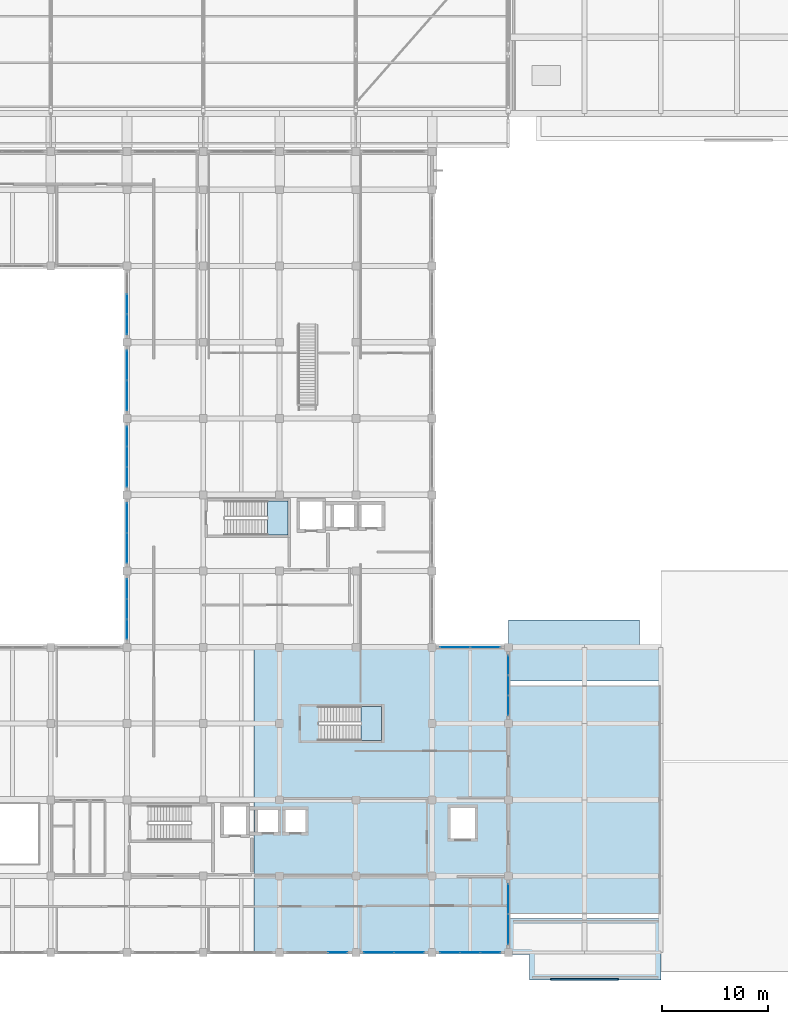
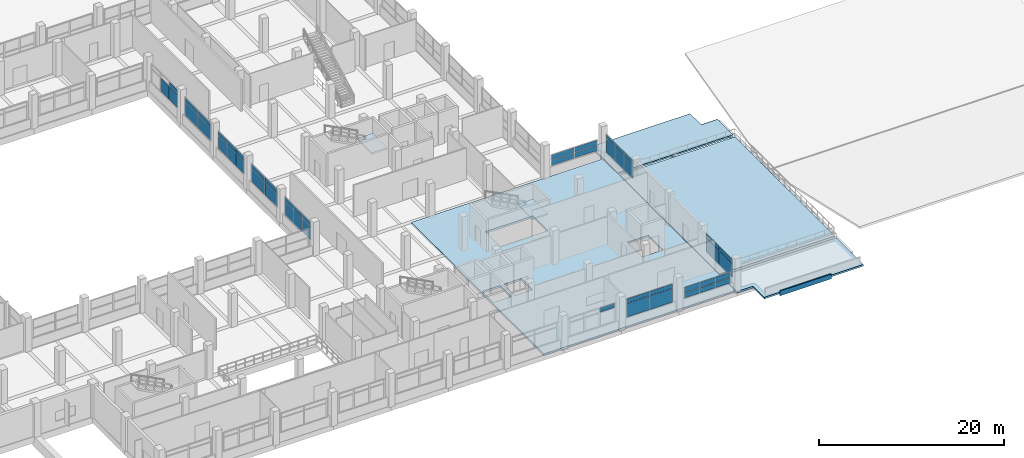
# One storey, part 114 of 141: 49 plates, 6 slabs, 13 elements without a shape of their own.
"""IFC4 building model written with IfcOpenShell, lengths in metres."""

from ifc_helpers import new_model, si_unit, direction, frame, origin, origin_2d, place, context, subcontext, project, spatial, polyline, rectangle, outline, extrude, material, layer, layer_set, type_object, element, aggregate, save


model = new_model("IFC4")

# Units and contexts
model_context = context("Model", 3, precision=1e-05, world=origin(), true_north=direction((0.0, 1.0)))
body_context = subcontext(model_context, "Body", "Model", "MODEL_VIEW")
ifc_project = project(units=[si_unit("LENGTHUNIT", "METRE"), si_unit("AREAUNIT", "SQUARE_METRE"), si_unit("VOLUMEUNIT", "CUBIC_METRE"), si_unit("PLANEANGLEUNIT", "RADIAN"), si_unit("MASSUNIT", "GRAM", prefix="KILO")], contexts=[model_context])

# Site, building, storey
site_placement = place(None, origin())
site = spatial("IfcSite", under=ifc_project, at=site_placement, CompositionType="ELEMENT")
building_placement = place(site_placement, origin())
building = spatial("IfcBuilding", under=site, at=building_placement, Name="Seraya Terrace Polytechnic", CompositionType="ELEMENT")
storey_placement = place(building_placement, frame((0.0, 0.0, 14.39990234375)))
storey = spatial("IfcBuildingStorey", under=building, at=storey_placement, Name="L03", CompositionType="ELEMENT", Elevation=14.39990234375)

# Curtain wall, plate
ifc_material_1 = material(Name="Anodised aluminium EN AW-6063 T6", Category="aluminium")
ifc_layer_1 = layer(ifc_material_1, 0.179931640625, Name="CW-28")
ifc_layer_set_1 = layer_set([ifc_layer_1], Name="Anodised aluminium EN AW-6063 T6")
curtain_wall_type_1 = type_object("IfcCurtainWallType", Name="CW-28", PredefinedType="NOTDEFINED", material=ifc_layer_set_1)
curtain_wall_1_placement = place(storey_placement, origin())
curtain_wall_1 = element("IfcCurtainWall", 1, at=curtain_wall_1_placement, inside=storey, type_object=curtain_wall_type_1, Name="Unitised curtain wall CW-28 (CW-L03-100)", PredefinedType="NOTDEFINED")
ifc_material_2 = material(Name="Laminated solar-control Low-E double glazing", Category="glass")
ifc_layer_2 = layer(ifc_material_2, 0.028076171875, Name="CWP-01")
ifc_layer_set_2 = layer_set([ifc_layer_2], Name="Laminated solar-control Low-E double glazing")
plate_type_1 = type_object("IfcPlateType", Name="CWP-01", PredefinedType="CURTAIN_PANEL", material=ifc_layer_set_2)
plate_1_placement = place(storey_placement, frame((99.103759765625, 0.0, 3.10986328125), z_axis=(0.0, 0.0, 1.0), x_axis=(-1.0, 0.0, 0.0)))
plate_1 = element("IfcPlate", 2, at=plate_1_placement, type_object=plate_type_1, Name="CW-28 panel 1.2", PredefinedType="CURTAIN_PANEL", context=body_context, shape_type="SweptSolid", body=[
    extrude(rectangle(XDim=1.822509765625, YDim=0.028076171875, at=origin_2d()), origin(), (0.0, 0.0, 1.0), 0.530029296875),
])
aggregate(curtain_wall_1, [plate_1])

# Curtain wall, plates
ifc_layer_3 = layer(ifc_material_1, 0.179931640625, Name="CW-25")
ifc_layer_set_3 = layer_set([ifc_layer_3], Name="Anodised aluminium EN AW-6063 T6")
curtain_wall_type_2 = type_object("IfcCurtainWallType", Name="CW-25", PredefinedType="NOTDEFINED", material=ifc_layer_set_3)
curtain_wall_2_placement = place(storey_placement, origin())
curtain_wall_2 = element("IfcCurtainWall", 3, at=curtain_wall_2_placement, inside=storey, type_object=curtain_wall_type_2, Name="Unitised curtain wall CW-25 (CW-L03-133)", PredefinedType="NOTDEFINED")
plate_2_placement = place(storey_placement, frame((110.17626953125, 28.800048828125, 1.300048828125), z_axis=(0.0, 0.0, 1.0), x_axis=(1.0, 0.0, 0.0)))
plate_2 = element("IfcPlate", 4, at=plate_2_placement, type_object=plate_type_1, Name="CW-25 panel 1.1", PredefinedType="CURTAIN_PANEL", context=body_context, shape_type="SweptSolid", body=[
    extrude(rectangle(XDim=2.782470703125, YDim=0.028076171875, at=origin_2d()), origin(), (0.0, 0.0, 1.0), 0.669921875),
])
plate_3_placement = place(storey_placement, frame((110.17626953125, 28.800048828125, 2.030029296875), z_axis=(0.0, 0.0, 1.0), x_axis=(1.0, 0.0, 0.0)))
plate_3 = element("IfcPlate", 5, at=plate_3_placement, type_object=plate_type_1, Name="CW-25 panel 1.2", PredefinedType="CURTAIN_PANEL", context=body_context, shape_type="SweptSolid", body=[
    extrude(rectangle(XDim=2.782470703125, YDim=0.028076171875, at=origin_2d()), origin(), (0.0, 0.0, 1.0), 0.669921875),
])
plate_4_placement = place(storey_placement, frame((113.023681640625, 28.800048828125, 1.300048828125), z_axis=(0.0, 0.0, 1.0), x_axis=(1.0, 0.0, 0.0)))
plate_4 = element("IfcPlate", 6, at=plate_4_placement, type_object=plate_type_1, Name="CW-25 panel 2.1", PredefinedType="CURTAIN_PANEL", context=body_context, shape_type="SweptSolid", body=[
    extrude(rectangle(XDim=2.782470703125, YDim=0.028076171875, at=origin_2d()), origin(), (0.0, 0.0, 1.0), 0.669921875),
])
plate_5_placement = place(storey_placement, frame((113.023681640625, 28.800048828125, 2.030029296875), z_axis=(0.0, 0.0, 1.0), x_axis=(1.0, 0.0, 0.0)))
plate_5 = element("IfcPlate", 7, at=plate_5_placement, type_object=plate_type_1, Name="CW-25 panel 2.2", PredefinedType="CURTAIN_PANEL", context=body_context, shape_type="SweptSolid", body=[
    extrude(rectangle(XDim=2.782470703125, YDim=0.028076171875, at=origin_2d()), origin(), (0.0, 0.0, 1.0), 0.669921875),
])
aggregate(curtain_wall_2, [plate_2, plate_3, plate_4, plate_5])

curtain_wall_3_placement = place(storey_placement, origin())
curtain_wall_3 = element("IfcCurtainWall", 8, at=curtain_wall_3_placement, inside=storey, type_object=curtain_wall_type_1, Name="Unitised curtain wall CW-28 (CW-L03-136)", PredefinedType="NOTDEFINED")
plate_6_placement = place(storey_placement, frame((79.199951171875, 30.496337890625, 1.300048828125), z_axis=(0.0, 0.0, 1.0), x_axis=(0.0, 1.0, 0.0)))
plate_6 = element("IfcPlate", 9, at=plate_6_placement, type_object=plate_type_1, Name="CW-28 panel 1.1", PredefinedType="CURTAIN_PANEL", context=body_context, shape_type="SweptSolid", body=[
    extrude(rectangle(XDim=1.822509765625, YDim=0.028076171875, at=origin_2d()), origin(), (0.0, 0.0, 1.0), 1.75),
])
plate_7_placement = place(storey_placement, frame((79.199951171875, 30.496337890625, 3.10986328125), z_axis=(0.0, 0.0, 1.0), x_axis=(0.0, 1.0, 0.0)))
plate_7 = element("IfcPlate", 10, at=plate_7_placement, type_object=plate_type_1, Name="CW-28 panel 1.2", PredefinedType="CURTAIN_PANEL", context=body_context, shape_type="SweptSolid", body=[
    extrude(rectangle(XDim=1.822509765625, YDim=0.028076171875, at=origin_2d()), origin(), (0.0, 0.0, 1.0), 0.530029296875),
])
plate_8_placement = place(storey_placement, frame((79.199951171875, 32.39990234375, 1.300048828125), z_axis=(0.0, 0.0, 1.0), x_axis=(0.0, 1.0, 0.0)))
plate_8 = element("IfcPlate", 11, at=plate_8_placement, type_object=plate_type_1, Name="CW-28 panel 2.1", PredefinedType="CURTAIN_PANEL", context=body_context, shape_type="SweptSolid", body=[
    extrude(rectangle(XDim=1.85498046875, YDim=0.028076171875, at=origin_2d()), origin(), (0.0, 0.0, 1.0), 1.75),
])
plate_9_placement = place(storey_placement, frame((79.199951171875, 32.39990234375, 3.10986328125), z_axis=(0.0, 0.0, 1.0), x_axis=(0.0, 1.0, 0.0)))
plate_9 = element("IfcPlate", 12, at=plate_9_placement, type_object=plate_type_1, Name="CW-28 panel 2.2", PredefinedType="CURTAIN_PANEL", context=body_context, shape_type="SweptSolid", body=[
    extrude(rectangle(XDim=1.85498046875, YDim=0.028076171875, at=origin_2d()), origin(), (0.0, 0.0, 1.0), 0.530029296875),
])
plate_10_placement = place(storey_placement, frame((79.199951171875, 34.3037109375, 1.300048828125), z_axis=(0.0, 0.0, 1.0), x_axis=(0.0, 1.0, 0.0)))
plate_10 = element("IfcPlate", 13, at=plate_10_placement, type_object=plate_type_1, Name="CW-28 panel 3.1", PredefinedType="CURTAIN_PANEL", context=body_context, shape_type="SweptSolid", body=[
    extrude(rectangle(XDim=1.822509765625, YDim=0.028076171875, at=origin_2d()), origin(), (0.0, 0.0, 1.0), 1.75),
])
plate_11_placement = place(storey_placement, frame((79.199951171875, 34.3037109375, 3.10986328125), z_axis=(0.0, 0.0, 1.0), x_axis=(0.0, 1.0, 0.0)))
plate_11 = element("IfcPlate", 14, at=plate_11_placement, type_object=plate_type_1, Name="CW-28 panel 3.2", PredefinedType="CURTAIN_PANEL", context=body_context, shape_type="SweptSolid", body=[
    extrude(rectangle(XDim=1.822509765625, YDim=0.028076171875, at=origin_2d()), origin(), (0.0, 0.0, 1.0), 0.530029296875),
])
aggregate(curtain_wall_3, [plate_6, plate_7, plate_8, plate_9, plate_10, plate_11])

ifc_layer_4 = layer(ifc_material_1, 0.179931640625, Name="CW-31")
ifc_layer_set_4 = layer_set([ifc_layer_4], Name="Anodised aluminium EN AW-6063 T6")
curtain_wall_type_3 = type_object("IfcCurtainWallType", Name="CW-31", PredefinedType="NOTDEFINED", material=ifc_layer_set_4)
curtain_wall_4_placement = place(storey_placement, origin())
curtain_wall_4 = element("IfcCurtainWall", 15, at=curtain_wall_4_placement, inside=storey, type_object=curtain_wall_type_3, Name="Unitised curtain wall CW-31 (CW-L03-139)", PredefinedType="NOTDEFINED")
plate_12_placement = place(storey_placement, frame((79.199951171875, 52.576171875, 1.30029296875), z_axis=(0.0, 0.0, 1.0), x_axis=(0.0, 1.0, 0.0)))
plate_12 = element("IfcPlate", 16, at=plate_12_placement, type_object=plate_type_1, Name="CW-31 panel 1.1", PredefinedType="CURTAIN_PANEL", context=body_context, shape_type="SweptSolid", body=[
    extrude(rectangle(XDim=2.782470703125, YDim=0.028076171875, at=origin_2d()), origin(), (0.0, 0.0, 1.0), 1.760009765625),
])
plate_13_placement = place(storey_placement, frame((79.199951171875, 52.576171875, 3.1201171875), z_axis=(0.0, 0.0, 1.0), x_axis=(0.0, 1.0, 0.0)))
plate_13 = element("IfcPlate", 17, at=plate_13_placement, type_object=plate_type_1, Name="CW-31 panel 1.2", PredefinedType="CURTAIN_PANEL", context=body_context, shape_type="SweptSolid", body=[
    extrude(rectangle(XDim=2.782470703125, YDim=0.028076171875, at=origin_2d()), origin(), (0.0, 0.0, 1.0), 0.530029296875),
])
plate_14_placement = place(storey_placement, frame((79.199951171875, 55.423828125, 1.30029296875), z_axis=(0.0, 0.0, 1.0), x_axis=(0.0, 1.0, 0.0)))
plate_14 = element("IfcPlate", 18, at=plate_14_placement, type_object=plate_type_1, Name="CW-31 panel 2.1", PredefinedType="CURTAIN_PANEL", context=body_context, shape_type="SweptSolid", body=[
    extrude(rectangle(XDim=2.782470703125, YDim=0.028076171875, at=origin_2d()), origin(), (0.0, 0.0, 1.0), 1.760009765625),
])
plate_15_placement = place(storey_placement, frame((79.199951171875, 55.423828125, 3.1201171875), z_axis=(0.0, 0.0, 1.0), x_axis=(0.0, 1.0, 0.0)))
plate_15 = element("IfcPlate", 19, at=plate_15_placement, type_object=plate_type_1, Name="CW-31 panel 2.2", PredefinedType="CURTAIN_PANEL", context=body_context, shape_type="SweptSolid", body=[
    extrude(rectangle(XDim=2.782470703125, YDim=0.028076171875, at=origin_2d()), origin(), (0.0, 0.0, 1.0), 0.530029296875),
])
aggregate(curtain_wall_4, [plate_12, plate_13, plate_14, plate_15])

ifc_layer_5 = layer(ifc_material_1, 0.179931640625, Name="CW-26")
ifc_layer_set_5 = layer_set([ifc_layer_5], Name="Anodised aluminium EN AW-6063 T6")
curtain_wall_type_4 = type_object("IfcCurtainWallType", Name="CW-26", PredefinedType="NOTDEFINED", material=ifc_layer_set_5)
curtain_wall_5_placement = place(storey_placement, origin())
curtain_wall_5 = element("IfcCurtainWall", 20, at=curtain_wall_5_placement, inside=storey, type_object=curtain_wall_type_4, Name="Unitised curtain wall CW-26 (CW-L03-098)", PredefinedType="NOTDEFINED")
ifc_layer_6 = layer(ifc_material_2, 0.031982421875, Name="CWP-02")
ifc_layer_set_6 = layer_set([ifc_layer_6], Name="Laminated solar-control Low-E double glazing")
plate_type_2 = type_object("IfcPlateType", Name="CWP-02", PredefinedType="CURTAIN_PANEL", material=ifc_layer_set_6)
plate_16_placement = place(storey_placement, frame((113.5048828125, 0.0, 1.300048828125), z_axis=(0.0, 0.0, 1.0), x_axis=(-1.0, 0.0, 0.0)))
plate_16 = element("IfcPlate", 21, at=plate_16_placement, type_object=plate_type_2, Name="CW-26 panel 1.1", PredefinedType="CURTAIN_PANEL", context=body_context, shape_type="SweptSolid", body=[
    extrude(rectangle(XDim=1.830078125, YDim=0.031982421875, at=origin_2d()), origin(), (0.0, 0.0, 1.0), 0.669921875),
])
plate_17_placement = place(storey_placement, frame((113.5048828125, 0.0, 2.030029296875), z_axis=(0.0, 0.0, 1.0), x_axis=(-1.0, 0.0, 0.0)))
plate_17 = element("IfcPlate", 22, at=plate_17_placement, type_object=plate_type_2, Name="CW-26 panel 1.2", PredefinedType="CURTAIN_PANEL", context=body_context, shape_type="SweptSolid", body=[
    extrude(rectangle(XDim=1.830078125, YDim=0.031982421875, at=origin_2d()), origin(), (0.0, 0.0, 1.0), 0.669921875),
])
plate_18_placement = place(storey_placement, frame((111.60009765625, 0.0, 1.300048828125), z_axis=(0.0, 0.0, 1.0), x_axis=(-1.0, 0.0, 0.0)))
plate_18 = element("IfcPlate", 23, at=plate_18_placement, type_object=plate_type_2, Name="CW-26 panel 2.1", PredefinedType="CURTAIN_PANEL", context=body_context, shape_type="SweptSolid", body=[
    extrude(rectangle(XDim=1.860107421875, YDim=0.031982421875, at=origin_2d()), origin(), (0.0, 0.0, 1.0), 0.669921875),
])
plate_19_placement = place(storey_placement, frame((111.60009765625, 0.0, 2.030029296875), z_axis=(0.0, 0.0, 1.0), x_axis=(-1.0, 0.0, 0.0)))
plate_19 = element("IfcPlate", 24, at=plate_19_placement, type_object=plate_type_2, Name="CW-26 panel 2.2", PredefinedType="CURTAIN_PANEL", context=body_context, shape_type="SweptSolid", body=[
    extrude(rectangle(XDim=1.860107421875, YDim=0.031982421875, at=origin_2d()), origin(), (0.0, 0.0, 1.0), 0.669921875),
])
plate_20_placement = place(storey_placement, frame((109.695068359375, 0.0, 1.300048828125), z_axis=(0.0, 0.0, 1.0), x_axis=(-1.0, 0.0, 0.0)))
plate_20 = element("IfcPlate", 25, at=plate_20_placement, type_object=plate_type_2, Name="CW-26 panel 3.1", PredefinedType="CURTAIN_PANEL", context=body_context, shape_type="SweptSolid", body=[
    extrude(rectangle(XDim=1.830078125, YDim=0.031982421875, at=origin_2d()), origin(), (0.0, 0.0, 1.0), 0.669921875),
])
plate_21_placement = place(storey_placement, frame((109.695068359375, 0.0, 2.030029296875), z_axis=(0.0, 0.0, 1.0), x_axis=(-1.0, 0.0, 0.0)))
plate_21 = element("IfcPlate", 26, at=plate_21_placement, type_object=plate_type_2, Name="CW-26 panel 3.2", PredefinedType="CURTAIN_PANEL", context=body_context, shape_type="SweptSolid", body=[
    extrude(rectangle(XDim=1.830078125, YDim=0.031982421875, at=origin_2d()), origin(), (0.0, 0.0, 1.0), 0.669921875),
])
aggregate(curtain_wall_5, [plate_16, plate_17, plate_18, plate_19, plate_20, plate_21])

curtain_wall_6_placement = place(storey_placement, origin())
curtain_wall_6 = element("IfcCurtainWall", 27, at=curtain_wall_6_placement, inside=storey, type_object=curtain_wall_type_4, Name="Unitised curtain wall CW-26 (CW-L03-134)", PredefinedType="NOTDEFINED")
plate_22_placement = place(storey_placement, frame((115.199951171875, 27.10498046875, 1.30029296875), z_axis=(0.0, 0.0, 1.0), x_axis=(0.0, -1.0, 0.0)))
plate_22 = element("IfcPlate", 28, at=plate_22_placement, type_object=plate_type_2, Name="CW-26 panel 1.1", PredefinedType="CURTAIN_PANEL", context=body_context, shape_type="SweptSolid", body=[
    extrude(rectangle(XDim=1.830078125, YDim=0.031982421875, at=origin_2d()), origin(), (0.0, 0.0, 1.0), 1.760009765625),
])
plate_23_placement = place(storey_placement, frame((115.199951171875, 27.10498046875, 3.1201171875), z_axis=(0.0, 0.0, 1.0), x_axis=(0.0, -1.0, 0.0)))
plate_23 = element("IfcPlate", 29, at=plate_23_placement, type_object=plate_type_2, Name="CW-26 panel 1.2", PredefinedType="CURTAIN_PANEL", context=body_context, shape_type="SweptSolid", body=[
    extrude(rectangle(XDim=1.830078125, YDim=0.031982421875, at=origin_2d()), origin(), (0.0, 0.0, 1.0), 0.530029296875),
])
plate_24_placement = place(storey_placement, frame((115.199951171875, 25.199951171875, 1.30029296875), z_axis=(0.0, 0.0, 1.0), x_axis=(0.0, -1.0, 0.0)))
plate_24 = element("IfcPlate", 30, at=plate_24_placement, type_object=plate_type_2, Name="CW-26 panel 2.1", PredefinedType="CURTAIN_PANEL", context=body_context, shape_type="SweptSolid", body=[
    extrude(rectangle(XDim=1.860107421875, YDim=0.031982421875, at=origin_2d()), origin(), (0.0, 0.0, 1.0), 1.760009765625),
])
plate_25_placement = place(storey_placement, frame((115.199951171875, 25.199951171875, 3.1201171875), z_axis=(0.0, 0.0, 1.0), x_axis=(0.0, -1.0, 0.0)))
plate_25 = element("IfcPlate", 31, at=plate_25_placement, type_object=plate_type_2, Name="CW-26 panel 2.2", PredefinedType="CURTAIN_PANEL", context=body_context, shape_type="SweptSolid", body=[
    extrude(rectangle(XDim=1.860107421875, YDim=0.031982421875, at=origin_2d()), origin(), (0.0, 0.0, 1.0), 0.530029296875),
])
plate_26_placement = place(storey_placement, frame((115.199951171875, 23.294921875, 1.30029296875), z_axis=(0.0, 0.0, 1.0), x_axis=(0.0, -1.0, 0.0)))
plate_26 = element("IfcPlate", 32, at=plate_26_placement, type_object=plate_type_2, Name="CW-26 panel 3.1", PredefinedType="CURTAIN_PANEL", context=body_context, shape_type="SweptSolid", body=[
    extrude(rectangle(XDim=1.830078125, YDim=0.031982421875, at=origin_2d()), origin(), (0.0, 0.0, 1.0), 1.760009765625),
])
plate_27_placement = place(storey_placement, frame((115.199951171875, 23.294921875, 3.1201171875), z_axis=(0.0, 0.0, 1.0), x_axis=(0.0, -1.0, 0.0)))
plate_27 = element("IfcPlate", 33, at=plate_27_placement, type_object=plate_type_2, Name="CW-26 panel 3.2", PredefinedType="CURTAIN_PANEL", context=body_context, shape_type="SweptSolid", body=[
    extrude(rectangle(XDim=1.830078125, YDim=0.031982421875, at=origin_2d()), origin(), (0.0, 0.0, 1.0), 0.530029296875),
])
aggregate(curtain_wall_6, [plate_22, plate_23, plate_24, plate_25, plate_26, plate_27])

ifc_layer_7 = layer(ifc_material_1, 0.179931640625, Name="CW-29")
ifc_layer_set_7 = layer_set([ifc_layer_7], Name="Anodised aluminium EN AW-6063 T6")
curtain_wall_type_5 = type_object("IfcCurtainWallType", Name="CW-29", PredefinedType="NOTDEFINED", material=ifc_layer_set_7)
curtain_wall_7_placement = place(storey_placement, origin())
curtain_wall_7 = element("IfcCurtainWall", 34, at=curtain_wall_7_placement, inside=storey, type_object=curtain_wall_type_5, Name="Unitised curtain wall CW-29 (CW-L03-137)", PredefinedType="NOTDEFINED")
plate_28_placement = place(storey_placement, frame((79.199951171875, 38.175048828125, 1.300048828125), z_axis=(0.0, 0.0, 1.0), x_axis=(0.0, 1.0, 0.0)))
plate_28 = element("IfcPlate", 35, at=plate_28_placement, type_object=plate_type_2, Name="CW-29 panel 1.1", PredefinedType="CURTAIN_PANEL", context=body_context, shape_type="SweptSolid", body=[
    extrude(rectangle(XDim=2.7900390625, YDim=0.031982421875, at=origin_2d()), origin(), (0.0, 0.0, 1.0), 1.7099609375),
])
plate_29_placement = place(storey_placement, frame((79.199951171875, 38.175048828125, 3.0703125), z_axis=(0.0, 0.0, 1.0), x_axis=(0.0, 1.0, 0.0)))
plate_29 = element("IfcPlate", 36, at=plate_29_placement, type_object=plate_type_2, Name="CW-29 panel 1.2", PredefinedType="CURTAIN_PANEL", context=body_context, shape_type="SweptSolid", body=[
    extrude(rectangle(XDim=2.7900390625, YDim=0.031982421875, at=origin_2d()), origin(), (0.0, 0.0, 1.0), 0.530029296875),
])
plate_30_placement = place(storey_placement, frame((79.199951171875, 41.02490234375, 1.300048828125), z_axis=(0.0, 0.0, 1.0), x_axis=(0.0, 1.0, 0.0)))
plate_30 = element("IfcPlate", 37, at=plate_30_placement, type_object=plate_type_2, Name="CW-29 panel 2.1", PredefinedType="CURTAIN_PANEL", context=body_context, shape_type="SweptSolid", body=[
    extrude(rectangle(XDim=2.7900390625, YDim=0.031982421875, at=origin_2d()), origin(), (0.0, 0.0, 1.0), 1.7099609375),
])
plate_31_placement = place(storey_placement, frame((79.199951171875, 41.02490234375, 3.0703125), z_axis=(0.0, 0.0, 1.0), x_axis=(0.0, 1.0, 0.0)))
plate_31 = element("IfcPlate", 38, at=plate_31_placement, type_object=plate_type_2, Name="CW-29 panel 2.2", PredefinedType="CURTAIN_PANEL", context=body_context, shape_type="SweptSolid", body=[
    extrude(rectangle(XDim=2.7900390625, YDim=0.031982421875, at=origin_2d()), origin(), (0.0, 0.0, 1.0), 0.530029296875),
])
aggregate(curtain_wall_7, [plate_28, plate_29, plate_30, plate_31])

ifc_layer_8 = layer(ifc_material_1, 0.179931640625, Name="CW-32")
ifc_layer_set_8 = layer_set([ifc_layer_8], Name="Anodised aluminium EN AW-6063 T6")
curtain_wall_type_6 = type_object("IfcCurtainWallType", Name="CW-32", PredefinedType="NOTDEFINED", material=ifc_layer_set_8)
curtain_wall_8_placement = place(storey_placement, origin())
curtain_wall_8 = element("IfcCurtainWall", 39, at=curtain_wall_8_placement, inside=storey, type_object=curtain_wall_type_6, Name="Unitised curtain wall CW-32 (CW-L03-140)", PredefinedType="NOTDEFINED")
plate_32_placement = place(storey_placement, frame((79.199951171875, 59.294921875, 1.30029296875), z_axis=(0.0, 0.0, 1.0), x_axis=(0.0, 1.0, 0.0)))
plate_32 = element("IfcPlate", 40, at=plate_32_placement, type_object=plate_type_2, Name="CW-32 panel 1.1", PredefinedType="CURTAIN_PANEL", context=body_context, shape_type="SweptSolid", body=[
    extrude(rectangle(XDim=1.830078125, YDim=0.031982421875, at=origin_2d()), origin(), (0.0, 0.0, 1.0), 1.760009765625),
])
plate_33_placement = place(storey_placement, frame((79.199951171875, 59.294921875, 3.1201171875), z_axis=(0.0, 0.0, 1.0), x_axis=(0.0, 1.0, 0.0)))
plate_33 = element("IfcPlate", 41, at=plate_33_placement, type_object=plate_type_2, Name="CW-32 panel 1.2", PredefinedType="CURTAIN_PANEL", context=body_context, shape_type="SweptSolid", body=[
    extrude(rectangle(XDim=1.830078125, YDim=0.031982421875, at=origin_2d()), origin(), (0.0, 0.0, 1.0), 0.530029296875),
])
plate_34_placement = place(storey_placement, frame((79.199951171875, 61.199951171875, 1.30029296875), z_axis=(0.0, 0.0, 1.0), x_axis=(0.0, 1.0, 0.0)))
plate_34 = element("IfcPlate", 42, at=plate_34_placement, type_object=plate_type_2, Name="CW-32 panel 2.1", PredefinedType="CURTAIN_PANEL", context=body_context, shape_type="SweptSolid", body=[
    extrude(rectangle(XDim=1.860107421875, YDim=0.031982421875, at=origin_2d()), origin(), (0.0, 0.0, 1.0), 1.760009765625),
])
aggregate(curtain_wall_8, [plate_32, plate_33, plate_34])

ifc_layer_9 = layer(ifc_material_1, 0.179931640625, Name="CW-27")
ifc_layer_set_9 = layer_set([ifc_layer_9], Name="Anodised aluminium EN AW-6063 T6")
curtain_wall_type_7 = type_object("IfcCurtainWallType", Name="CW-27", PredefinedType="NOTDEFINED", material=ifc_layer_set_9)
curtain_wall_9_placement = place(storey_placement, origin())
curtain_wall_9 = element("IfcCurtainWall", 43, at=curtain_wall_9_placement, inside=storey, type_object=curtain_wall_type_7, Name="Unitised curtain wall CW-27 (CW-L03-099)", PredefinedType="NOTDEFINED")
ifc_layer_10 = layer(ifc_material_2, 0.035888671875, Name="CWP-03")
ifc_layer_set_10 = layer_set([ifc_layer_10], Name="Laminated solar-control Low-E double glazing")
plate_type_3 = type_object("IfcPlateType", Name="CWP-03", PredefinedType="CURTAIN_PANEL", material=ifc_layer_set_10)
plate_35_placement = place(storey_placement, frame((105.824951171875, 0.0, 1.294921875), z_axis=(0.0, 0.0, 1.0), x_axis=(-1.0, 0.0, 0.0)))
plate_35 = element("IfcPlate", 44, at=plate_35_placement, type_object=plate_type_3, Name="CW-27 panel 1.1", PredefinedType="CURTAIN_PANEL", context=body_context, shape_type="SweptSolid", body=[
    extrude(rectangle(XDim=2.7900390625, YDim=0.035888671875, at=origin_2d()), origin(), (0.0, 0.0, 1.0), 1.797607421875),
])
plate_36_placement = place(storey_placement, frame((105.824951171875, 0.0, 3.1474609375), z_axis=(0.0, 0.0, 1.0), x_axis=(-1.0, 0.0, 0.0)))
plate_36 = element("IfcPlate", 45, at=plate_36_placement, type_object=plate_type_3, Name="CW-27 panel 1.2", PredefinedType="CURTAIN_PANEL", context=body_context, shape_type="SweptSolid", body=[
    extrude(rectangle(XDim=2.7900390625, YDim=0.035888671875, at=origin_2d()), origin(), (0.0, 0.0, 1.0), 0.53759765625),
])
plate_37_placement = place(storey_placement, frame((102.97509765625, 0.0, 1.294921875), z_axis=(0.0, 0.0, 1.0), x_axis=(-1.0, 0.0, 0.0)))
plate_37 = element("IfcPlate", 46, at=plate_37_placement, type_object=plate_type_3, Name="CW-27 panel 2.1", PredefinedType="CURTAIN_PANEL", context=body_context, shape_type="SweptSolid", body=[
    extrude(rectangle(XDim=2.7900390625, YDim=0.035888671875, at=origin_2d()), origin(), (0.0, 0.0, 1.0), 1.797607421875),
])
plate_38_placement = place(storey_placement, frame((102.97509765625, 0.0, 3.1474609375), z_axis=(0.0, 0.0, 1.0), x_axis=(-1.0, 0.0, 0.0)))
plate_38 = element("IfcPlate", 47, at=plate_38_placement, type_object=plate_type_3, Name="CW-27 panel 2.2", PredefinedType="CURTAIN_PANEL", context=body_context, shape_type="SweptSolid", body=[
    extrude(rectangle(XDim=2.7900390625, YDim=0.035888671875, at=origin_2d()), origin(), (0.0, 0.0, 1.0), 0.53759765625),
])
aggregate(curtain_wall_9, [plate_35, plate_36, plate_37, plate_38])

curtain_wall_10_placement = place(storey_placement, origin())
curtain_wall_10 = element("IfcCurtainWall", 48, at=curtain_wall_10_placement, inside=storey, type_object=curtain_wall_type_7, Name="Unitised curtain wall CW-27 (CW-L03-135)", PredefinedType="NOTDEFINED")
plate_39_placement = place(storey_placement, frame((115.199951171875, 5.02490234375, 1.295166015625), z_axis=(0.0, 0.0, 1.0), x_axis=(0.0, -1.0, 0.0)))
plate_39 = element("IfcPlate", 49, at=plate_39_placement, type_object=plate_type_3, Name="CW-27 panel 1.1", PredefinedType="CURTAIN_PANEL", context=body_context, shape_type="SweptSolid", body=[
    extrude(rectangle(XDim=2.7900390625, YDim=0.035888671875, at=origin_2d()), origin(), (0.0, 0.0, 1.0), 1.767578125),
])
plate_40_placement = place(storey_placement, frame((115.199951171875, 5.02490234375, 3.117431640625), z_axis=(0.0, 0.0, 1.0), x_axis=(0.0, -1.0, 0.0)))
plate_40 = element("IfcPlate", 50, at=plate_40_placement, type_object=plate_type_3, Name="CW-27 panel 1.2", PredefinedType="CURTAIN_PANEL", context=body_context, shape_type="SweptSolid", body=[
    extrude(rectangle(XDim=2.7900390625, YDim=0.035888671875, at=origin_2d()), origin(), (0.0, 0.0, 1.0), 0.53759765625),
])
plate_41_placement = place(storey_placement, frame((115.199951171875, 2.175048828125, 1.295166015625), z_axis=(0.0, 0.0, 1.0), x_axis=(0.0, -1.0, 0.0)))
plate_41 = element("IfcPlate", 51, at=plate_41_placement, type_object=plate_type_3, Name="CW-27 panel 2.1", PredefinedType="CURTAIN_PANEL", context=body_context, shape_type="SweptSolid", body=[
    extrude(rectangle(XDim=2.7900390625, YDim=0.035888671875, at=origin_2d()), origin(), (0.0, 0.0, 1.0), 1.767578125),
])
plate_42_placement = place(storey_placement, frame((115.199951171875, 2.175048828125, 3.117431640625), z_axis=(0.0, 0.0, 1.0), x_axis=(0.0, -1.0, 0.0)))
plate_42 = element("IfcPlate", 52, at=plate_42_placement, type_object=plate_type_3, Name="CW-27 panel 2.2", PredefinedType="CURTAIN_PANEL", context=body_context, shape_type="SweptSolid", body=[
    extrude(rectangle(XDim=2.7900390625, YDim=0.035888671875, at=origin_2d()), origin(), (0.0, 0.0, 1.0), 0.53759765625),
])
aggregate(curtain_wall_10, [plate_39, plate_40, plate_41, plate_42])

ifc_layer_11 = layer(ifc_material_1, 0.179931640625, Name="CW-30")
ifc_layer_set_11 = layer_set([ifc_layer_11], Name="Anodised aluminium EN AW-6063 T6")
curtain_wall_type_8 = type_object("IfcCurtainWallType", Name="CW-30", PredefinedType="NOTDEFINED", material=ifc_layer_set_11)
curtain_wall_11_placement = place(storey_placement, origin())
curtain_wall_11 = element("IfcCurtainWall", 53, at=curtain_wall_11_placement, inside=storey, type_object=curtain_wall_type_8, Name="Unitised curtain wall CW-30 (CW-L03-138)", PredefinedType="NOTDEFINED")
plate_43_placement = place(storey_placement, frame((79.199951171875, 44.89501953125, 1.294921875), z_axis=(0.0, 0.0, 1.0), x_axis=(0.0, 1.0, 0.0)))
plate_43 = element("IfcPlate", 54, at=plate_43_placement, type_object=plate_type_3, Name="CW-30 panel 1.1", PredefinedType="CURTAIN_PANEL", context=body_context, shape_type="SweptSolid", body=[
    extrude(rectangle(XDim=1.830078125, YDim=0.035888671875, at=origin_2d()), origin(), (0.0, 0.0, 1.0), 1.677490234375),
])
plate_44_placement = place(storey_placement, frame((79.199951171875, 44.89501953125, 3.027587890625), z_axis=(0.0, 0.0, 1.0), x_axis=(0.0, 1.0, 0.0)))
plate_44 = element("IfcPlate", 55, at=plate_44_placement, type_object=plate_type_3, Name="CW-30 panel 1.2", PredefinedType="CURTAIN_PANEL", context=body_context, shape_type="SweptSolid", body=[
    extrude(rectangle(XDim=1.830078125, YDim=0.035888671875, at=origin_2d()), origin(), (0.0, 0.0, 1.0), 0.53759765625),
])
plate_45_placement = place(storey_placement, frame((79.199951171875, 46.800048828125, 1.294921875), z_axis=(0.0, 0.0, 1.0), x_axis=(0.0, 1.0, 0.0)))
plate_45 = element("IfcPlate", 56, at=plate_45_placement, type_object=plate_type_3, Name="CW-30 panel 2.1", PredefinedType="CURTAIN_PANEL", context=body_context, shape_type="SweptSolid", body=[
    extrude(rectangle(XDim=1.860107421875, YDim=0.035888671875, at=origin_2d()), origin(), (0.0, 0.0, 1.0), 1.677490234375),
])
plate_46_placement = place(storey_placement, frame((79.199951171875, 46.800048828125, 3.027587890625), z_axis=(0.0, 0.0, 1.0), x_axis=(0.0, 1.0, 0.0)))
plate_46 = element("IfcPlate", 57, at=plate_46_placement, type_object=plate_type_3, Name="CW-30 panel 2.2", PredefinedType="CURTAIN_PANEL", context=body_context, shape_type="SweptSolid", body=[
    extrude(rectangle(XDim=1.860107421875, YDim=0.035888671875, at=origin_2d()), origin(), (0.0, 0.0, 1.0), 0.53759765625),
])
plate_47_placement = place(storey_placement, frame((79.199951171875, 48.705078125, 1.294921875), z_axis=(0.0, 0.0, 1.0), x_axis=(0.0, 1.0, 0.0)))
plate_47 = element("IfcPlate", 58, at=plate_47_placement, type_object=plate_type_3, Name="CW-30 panel 3.1", PredefinedType="CURTAIN_PANEL", context=body_context, shape_type="SweptSolid", body=[
    extrude(rectangle(XDim=1.830078125, YDim=0.035888671875, at=origin_2d()), origin(), (0.0, 0.0, 1.0), 1.677490234375),
])
plate_48_placement = place(storey_placement, frame((79.199951171875, 48.705078125, 3.027587890625), z_axis=(0.0, 0.0, 1.0), x_axis=(0.0, 1.0, 0.0)))
plate_48 = element("IfcPlate", 59, at=plate_48_placement, type_object=plate_type_3, Name="CW-30 panel 3.2", PredefinedType="CURTAIN_PANEL", context=body_context, shape_type="SweptSolid", body=[
    extrude(rectangle(XDim=1.830078125, YDim=0.035888671875, at=origin_2d()), origin(), (0.0, 0.0, 1.0), 0.53759765625),
])
aggregate(curtain_wall_11, [plate_43, plate_44, plate_45, plate_46, plate_47, plate_48])

# Plate
ifc_material_3 = material(Name="Precast concrete C40/50", Category="concrete")
ifc_layer_12 = layer(ifc_material_3, 0.159912109375, Name="FP-01")
ifc_layer_set_12 = layer_set([ifc_layer_12], Name="Precast concrete C40/50")
plate_type_4 = type_object("IfcPlateType", Name="FP-01", PredefinedType="SHEET", material=ifc_layer_set_12)
plate_49_placement = place(storey_placement, frame((122.39990234375, -2.530029296875, -0.489990234375), z_axis=(0.0, 0.0, 1.0), x_axis=(1.0, 0.0, 0.0)))
element("IfcPlate", 60, at=plate_49_placement, inside=storey, type_object=plate_type_4, Name="Sculpted white precast eave fascia ROOF-L03-SESOUTH South", PredefinedType="SHEET", context=body_context, shape_type="SweptSolid", body=[
    extrude(rectangle(XDim=6.39990234375, YDim=0.159912109375, at=origin_2d()), origin(), (0.0, 0.0, 1.0), 0.6201171875),
])

# Slabs
ifc_material_4 = material(Name="Concrete C40/50", Category="concrete")
ifc_layer_13 = layer(ifc_material_4, 0.260009765625, Name="FS-08")
ifc_layer_set_13 = layer_set([ifc_layer_13], Name="Concrete C40/50")
slab_type_1 = type_object("IfcSlabType", Name="FS-08", PredefinedType="FLOOR", material=ifc_layer_set_13)
slab_1_placement = place(storey_placement, frame((0.0, 0.0, -0.260009765625)))
element("IfcSlab", 61, at=slab_1_placement, inside=storey, type_object=slab_type_1, Name="Floor slab SLB-V2-SOUTH-L03-S3 (FS-08)", PredefinedType="FLOOR", context=body_context, shape_type="SweptSolid", body=[
    extrude(outline(polyline([(115.139892578125, 28.739990234375), (115.139892578125, 0.06005859375), (91.205078125, 0.06005859375), (91.205078125, 28.739990234375), (115.139892578125, 28.739990234375)]), holes=[polyline([(109.60009765625, 13.800048828125), (109.60009765625, 10.60009765625), (112.199951171875, 10.60009765625), (112.199951171875, 13.800048828125), (109.60009765625, 13.800048828125)]), polyline([(91.39990234375, 13.60009765625), (91.39990234375, 11.199951171875), (93.60009765625, 11.199951171875), (93.60009765625, 13.60009765625), (91.39990234375, 13.60009765625)]), polyline([(94.0, 13.60009765625), (94.0, 11.199951171875), (96.199951171875, 11.199951171875), (96.199951171875, 13.60009765625), (94.0, 13.60009765625)]), polyline([(97.2900390625, 23.199951171875), (97.2900390625, 20.0), (103.25, 20.0), (103.25, 23.199951171875), (97.2900390625, 23.199951171875)])]), origin(), (0.0, 0.0, 1.0), 0.260009765625),
])
ifc_layer_14 = layer(ifc_material_3, 0.22998046875, Name="RS-03")
ifc_layer_set_14 = layer_set([ifc_layer_14], Name="Precast concrete C40/50")
slab_type_2 = type_object("IfcSlabType", Name="RS-03", PredefinedType="ROOF", material=ifc_layer_set_14)
slab_2_placement = place(storey_placement, frame((0.0, 0.0, -0.22998046875)))
element("IfcSlab", 62, at=slab_2_placement, inside=storey, type_object=slab_type_2, Name="Sculpted overhanging precast roof plate ROOF-L03-SESOUTH", PredefinedType="ROOF", context=body_context, shape_type="SweptSolid", body=[
    extrude(outline(polyline([(129.60009765625, -2.60009765625), (117.216064453125, -2.60009765625), (117.216064453125, -0.199951171875), (115.199951171875, -0.199951171875), (115.199951171875, 3.179931640625), (129.60009765625, 3.179931640625), (129.60009765625, -2.60009765625)])), origin(), (0.0, 0.0, 1.0), 0.22998046875),
])
slab_3_placement = place(storey_placement, frame((0.0, 0.0, -0.22998046875)))
element("IfcSlab", 63, at=slab_3_placement, inside=storey, type_object=slab_type_2, Name="Sculpted overhanging precast roof plate ROOF-L03-SESOUTH", PredefinedType="ROOF", context=body_context, shape_type="SweptSolid", body=[
    extrude(outline(polyline([(115.199951171875, 31.39990234375), (127.583984375, 31.39990234375), (127.583984375, 29.0), (129.60009765625, 29.0), (129.60009765625, 25.6201171875), (115.199951171875, 25.6201171875), (115.199951171875, 31.39990234375)])), origin(), (0.0, 0.0, 1.0), 0.22998046875),
])

# Stair, slab
stair_type = type_object("IfcStairType", Name="ST-T2", PredefinedType="HALF_TURN_STAIR", material=ifc_material_4)
stair_1_placement = place(storey_placement, origin())
stair_1 = element("IfcStair", 64, at=stair_1_placement, inside=storey, type_object=stair_type, Name="L03 Protected exit stair ST-02", PredefinedType="HALF_TURN_STAIR")
ifc_layer_15 = layer(ifc_material_4, 0.199951171875, Name="SL-01")
ifc_layer_set_15 = layer_set([ifc_layer_15], Name="Concrete C40/50")
slab_type_3 = type_object("IfcSlabType", Name="SL-01", PredefinedType="LANDING", material=ifc_layer_set_15)
slab_4_placement = place(storey_placement, frame((0.0, 0.0, 2.050048828125)))
slab_4 = element("IfcSlab", 65, at=slab_4_placement, type_object=slab_type_3, Name="ST-02 landing 1", PredefinedType="LANDING", context=body_context, shape_type="SweptSolid", body=[
    extrude(outline(polyline([(92.4599609375, 39.39990234375), (94.39990234375, 39.39990234375), (94.39990234375, 42.60009765625), (92.4599609375, 42.60009765625), (92.4599609375, 39.39990234375)])), origin(), (0.0, 0.0, 1.0), 0.199951171875),
])
aggregate(stair_1, [slab_4])

stair_2_placement = place(storey_placement, origin())
stair_2 = element("IfcStair", 66, at=stair_2_placement, inside=storey, type_object=stair_type, Name="L03 Protected exit stair ST-05", PredefinedType="HALF_TURN_STAIR")
slab_5_placement = place(storey_placement, frame((0.0, 0.0, 2.050048828125)))
slab_5 = element("IfcSlab", 67, at=slab_5_placement, type_object=slab_type_3, Name="ST-05 landing 1", PredefinedType="LANDING", context=body_context, shape_type="SweptSolid", body=[
    extrude(outline(polyline([(101.31005859375, 20.0), (103.25, 20.0), (103.25, 23.199951171875), (101.31005859375, 23.199951171875), (101.31005859375, 20.0)])), origin(), (0.0, 0.0, 1.0), 0.199951171875),
])
aggregate(stair_2, [slab_5])

# Slab
ifc_layer_16 = layer(ifc_material_4, 0.31005859375, Name="TS-02")
ifc_layer_set_16 = layer_set([ifc_layer_16], Name="Concrete C40/50")
slab_type_4 = type_object("IfcSlabType", Name="TS-02", PredefinedType="FLOOR", material=ifc_layer_set_16)
slab_6_placement = place(storey_placement, frame((0.0, 0.0, -0.309814453125)))
element("IfcSlab", 68, at=slab_6_placement, inside=storey, type_object=slab_type_4, Name="Planted study terrace slab TERR-L03-SE", PredefinedType="FLOOR", context=body_context, shape_type="SweptSolid", body=[
    extrude(outline(polyline([(115.199951171875, 3.60009765625), (115.199951171875, 25.199951171875), (129.60009765625, 25.199951171875), (129.60009765625, 3.60009765625), (115.199951171875, 3.60009765625)])), origin(), (0.0, 0.0, 1.0), 0.309814453125),
])

save(model, "model.ifc")
